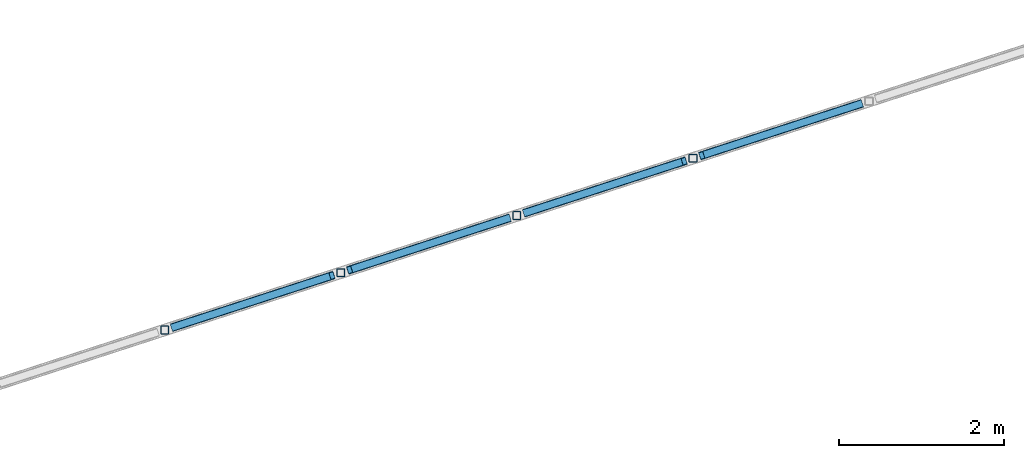
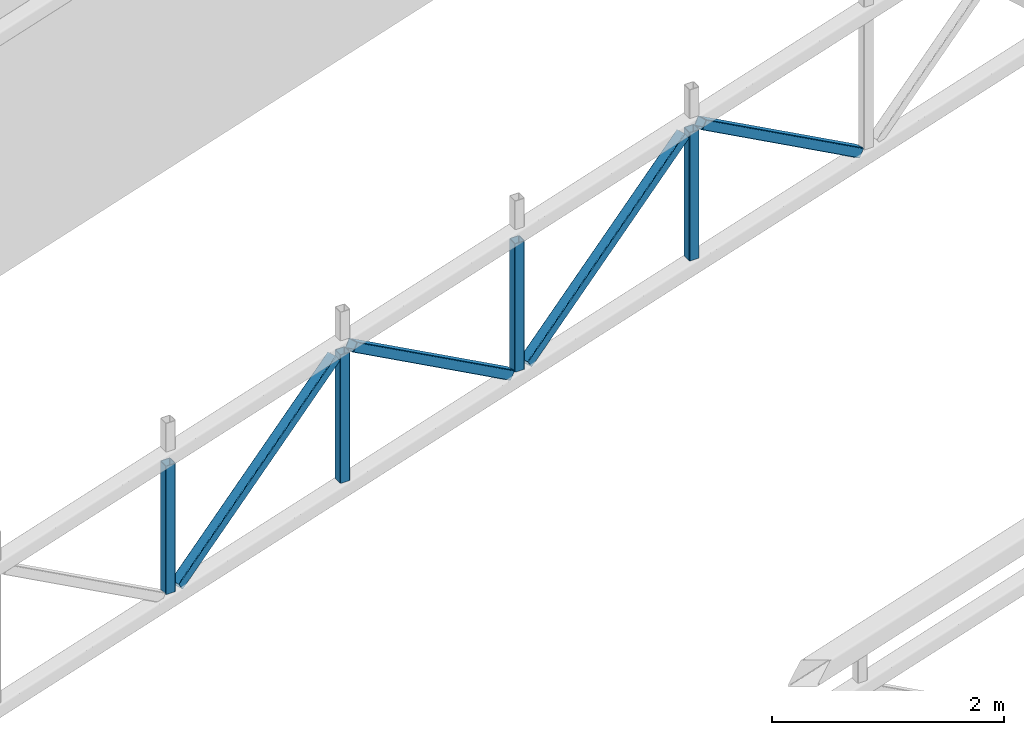
# One storey, part 23 of 81: 8 members.
"""IFC4 building model written with IfcOpenShell, lengths in metres."""

from ifc_helpers import new_model, si_unit, direction, frame, origin, origin_2d, place, context, subcontext, project, spatial, hollow_rectangle, extrude, material, material_profile, profile_set, type_object, element, save


model = new_model("IFC4")

# Units and contexts
model_context = context("Model", 3, precision=1e-05, world=origin(), true_north=direction((0.0, 1.0)))
body_context = subcontext(model_context, "Body", "Model", "MODEL_VIEW")
ifc_project = project(units=[si_unit("LENGTHUNIT", "METRE"), si_unit("AREAUNIT", "SQUARE_METRE"), si_unit("VOLUMEUNIT", "CUBIC_METRE"), si_unit("PLANEANGLEUNIT", "RADIAN"), si_unit("MASSUNIT", "GRAM", prefix="KILO")], contexts=[model_context])

# Site, building, storey
site_placement = place(None, origin())
site = spatial("IfcSite", under=ifc_project, at=site_placement, CompositionType="ELEMENT")
building_placement = place(site_placement, origin())
building = spatial("IfcBuilding", under=site, at=building_placement, Name="Tuart Plaza Theatre", CompositionType="ELEMENT")
storey_placement = place(building_placement, frame((0.0, 0.0, 17.5)))
storey = spatial("IfcBuildingStorey", under=building, at=storey_placement, Name="L04", CompositionType="ELEMENT", Elevation=17.5)

# Members
ifc_material_1 = material(Name="Steel Grade C350L0", Category="steel")
ifc_material_profile_1 = material_profile(ifc_material_1, hollow_rectangle(XDim=0.10009765625, YDim=0.10009765625, WallThickness=0.006103515625, InnerFilletRadius=0.006103515625, OuterFilletRadius=0.011962890625, at=origin_2d()), Name="100x100x6 SHS")
ifc_profile_set_1 = profile_set([ifc_material_profile_1], Name="Steel Grade C350L0")
member_type_1 = type_object("IfcMemberType", Name="MEMBER Brace 100x100x6 SHS", PredefinedType="BRACE", material=ifc_profile_set_1)
for number, where, z_axis, x_axis, name in (
    (1, (57.39599609375, 66.48388671875, 2.683837890625), (0.791137461797, 0.256986664408, 0.555030963872), (-0.308941443477, 0.951081060953, 0.0), "BR137"),
    (2, (59.533935546875, 67.178466796875, 4.03369140625), (0.791117049064, 0.257080416527, -0.5550166431), (-0.309050599318, 0.951045596731, 0.0), "BR138"),
    (3, (61.671875, 67.873046875, 2.683837890625), (0.791117049064, 0.257080416527, 0.5550166431), (-0.309050599318, 0.951045596731, 0.0), "BR139"),
    (4, (63.8095703125, 68.567626953125, 4.03369140625), (0.791117049064, 0.257080416527, -0.5550166431), (-0.309050599318, 0.951045596731, 0.0), "BR140"),
):
    element("IfcMember", number, at=place(storey_placement, frame(where, z_axis=z_axis, x_axis=x_axis)), inside=storey, type_object=member_type_1, Name=name, PredefinedType="BRACE", context=body_context, shape_type="SweptSolid", body=[
        extrude(hollow_rectangle(XDim=0.10009765625, YDim=0.10009765625, WallThickness=0.006103515625, InnerFilletRadius=0.006103515625, OuterFilletRadius=0.011962890625, at=origin_2d()), origin(), (0.0, 0.0, 1.0), 2.43212890625),
    ])
ifc_material_2 = material(Name="Steel Grade C350L0", Category="steel")
ifc_material_profile_2 = material_profile(ifc_material_2, hollow_rectangle(XDim=0.10009765625, YDim=0.10009765625, WallThickness=0.006103515625, InnerFilletRadius=0.006103515625, OuterFilletRadius=0.011962890625, at=origin_2d()), Name="100x100x6 SHS")
ifc_profile_set_2 = profile_set([ifc_material_profile_2], Name="Steel Grade C350L0")
member_type_2 = type_object("IfcMemberType", Name="MEMBER Post 100x100x6 SHS", PredefinedType="POST", material=ifc_profile_set_2)
for number, where, z_axis, x_axis, name in (
    (5, (57.2890625, 66.448974609375, 2.683837890625), (0.0, 0.0, 1.0), (1.0, 0.0, 0.0), "PO167"),
    (6, (59.427001953125, 67.143798828125, 2.683837890625), (0.0, 0.0, 1.0), (1.0, 0.0, 0.0), "PO168"),
    (7, (61.56494140625, 67.83837890625, 2.683837890625), (0.0, 0.0, 1.0), (1.0, 0.0, 0.0), "PO169"),
    (8, (63.702880859375, 68.532958984375, 2.683837890625), (0.0, 0.0, 1.0), (1.0, 0.0, 0.0), "PO170"),
):
    element("IfcMember", number, at=place(storey_placement, frame(where, z_axis=z_axis, x_axis=x_axis)), inside=storey, type_object=member_type_2, Name=name, PredefinedType="POST", context=body_context, shape_type="SweptSolid", body=[
        extrude(hollow_rectangle(XDim=0.10009765625, YDim=0.10009765625, WallThickness=0.006103515625, InnerFilletRadius=0.006103515625, OuterFilletRadius=0.011962890625, at=origin_2d()), origin(), (0.0, 0.0, 1.0), 1.349853515625),
    ])

save(model, "model.ifc")
